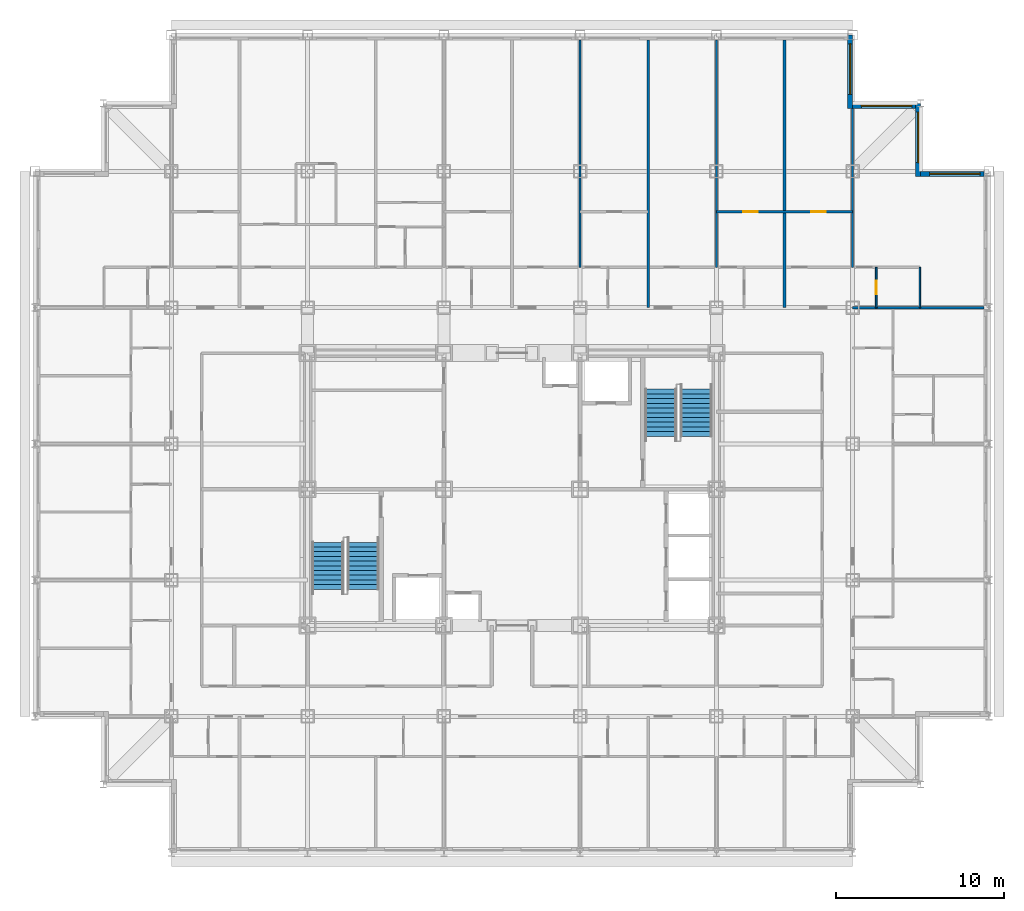
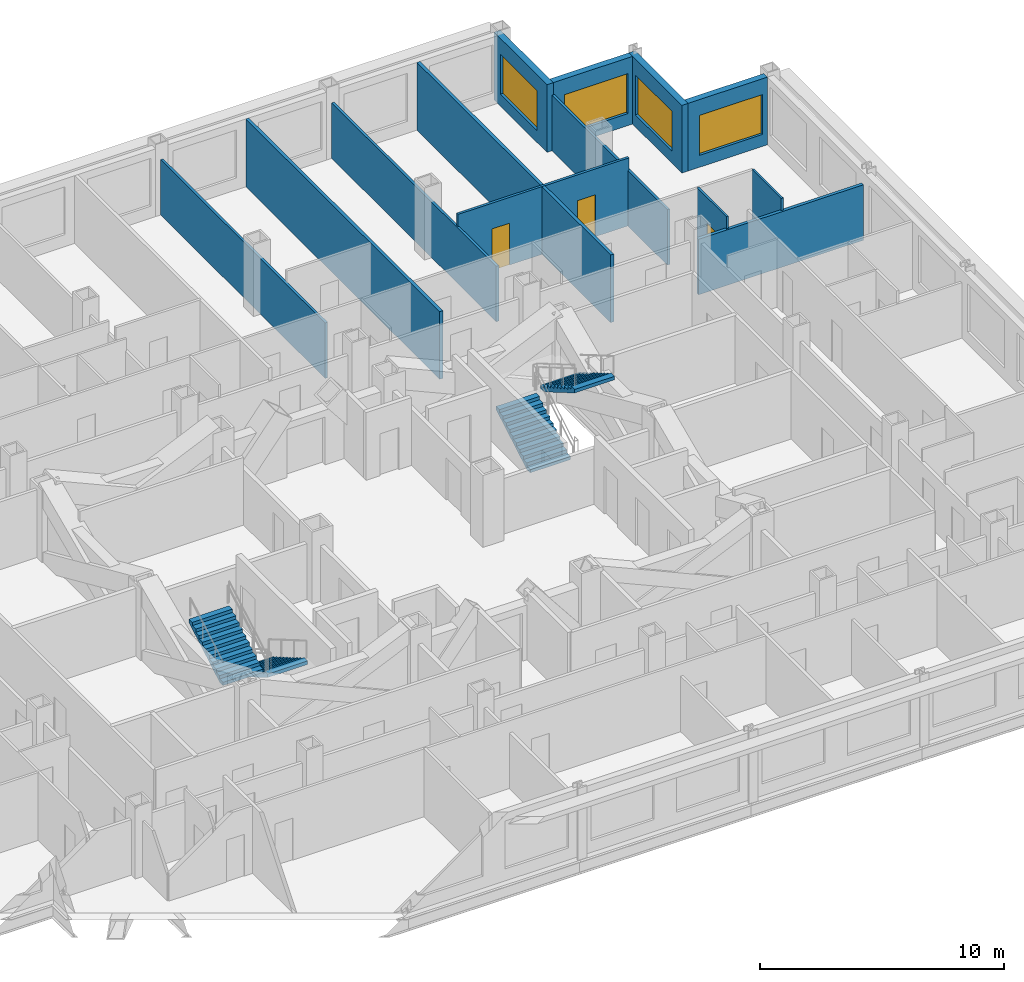
# One storey, part 11 of 12: 13 walls, 4 stair flights, 4 windows, 3 doors, 7 openings, 2 elements without a shape of their own.
"""IFC4 building model written with IfcOpenShell, lengths in metres."""

from ifc_helpers import new_model, si_unit, direction, frame, frame_2d, origin, place, context, subcontext, project, spatial, rectangle, extrude, polygons, source, transform, mapped, material, layer, layer_set, type_object, element, fill, aggregate, save


model = new_model("IFC4")

# Units and contexts
model_context = context("Model", 3, precision=1e-05, world=origin(), true_north=direction((0.0, 1.0)))
body_context = subcontext(model_context, "Body", "Model", "MODEL_VIEW")
ifc_project = project(units=[si_unit("LENGTHUNIT", "METRE"), si_unit("AREAUNIT", "SQUARE_METRE"), si_unit("VOLUMEUNIT", "CUBIC_METRE"), si_unit("PLANEANGLEUNIT", "RADIAN"), si_unit("MASSUNIT", "GRAM", prefix="KILO")], contexts=[model_context])

# Site, building, storey
site_placement = place(None, origin())
site = spatial("IfcSite", under=ifc_project, at=site_placement, CompositionType="ELEMENT")
building_placement = place(site_placement, origin())
building = spatial("IfcBuilding", under=site, at=building_placement, Name="Kopane Lantern Tower", CompositionType="ELEMENT")
storey_placement = place(building_placement, frame((0.0, 0.0, 195.60009765625)))
storey = spatial("IfcBuildingStorey", under=building, at=storey_placement, Name="L50", CompositionType="ELEMENT", Elevation=195.60009765625)

# Walls
ifc_material_1 = material(Name="Gypsum board on steel studs", Category="steel")
ifc_layer_1 = layer(ifc_material_1, 0.1201171875)
ifc_layer_set_1 = layer_set([ifc_layer_1], Name="APARTMENT INTERNAL WALL 120")
wall_type_1 = type_object("IfcWallType", Name="APARTMENT INTERNAL WALL 120", PredefinedType="PARTITIONING", material=ifc_layer_set_1)
for number, where, z_axis, x_axis, name in (
    (1, (32.39990234375, 45.60009765625, 0.0), (0.0, 0.0, 1.0), (0.0, 1.0, 0.0), "Apartment Internal Wall 120 L50"),
    (2, (40.5, 45.60009765625, 0.0), (0.0, 0.0, 1.0), (0.0, 1.0, 0.0), "Apartment Internal Wall 120 L50"),
):
    element("IfcWall", number, at=place(storey_placement, frame(where, z_axis=z_axis, x_axis=x_axis)), inside=storey, type_object=wall_type_1, Name=name, PredefinedType="PARTITIONING", context=body_context, shape_type="SweptSolid", body=[
        extrude(rectangle(XDim=13.5, YDim=0.1201171875, at=frame_2d((6.75, 0.0))), origin(), (0.0, 0.0, 1.0), 2.777587890625),
    ])
wall_1_placement = place(storey_placement, frame((48.60009765625, 45.60009765625, 0.0), z_axis=(0.0, 0.0, 1.0), x_axis=(0.0, 1.0, 0.0)))
element("IfcWall", 3, at=wall_1_placement, inside=storey, type_object=wall_type_1, Name="Apartment Internal Wall 120 L50", PredefinedType="PARTITIONING", context=body_context, shape_type="SweptSolid", body=[
    extrude(rectangle(XDim=9.449951171875, YDim=0.1201171875, at=frame_2d((4.72509765625, 0.0))), origin(), (0.0, 0.0, 1.0), 2.777587890625),
])

# Wall, openings, doors
wall_2_placement = place(storey_placement, frame((40.5, 48.89990234375, 0.0), z_axis=(0.0, 0.0, 1.0), x_axis=(1.0, 0.0, 0.0)))
wall_2 = element("IfcWall", 4, at=wall_2_placement, inside=storey, type_object=wall_type_1, Name="Apartment Internal Wall 120 L50", PredefinedType="PARTITIONING", context=body_context, shape_type="SweptSolid", body=[
    extrude(rectangle(XDim=8.10009765625, YDim=0.1201171875, at=frame_2d((4.050048828125, 0.0))), origin(), (0.0, 0.0, 1.0), 3.389892578125),
])
opening_1_placement = place(wall_2_placement, frame((1.60009765625, 0.0, 0.0)))
opening_1 = element("IfcOpeningElement", 5, at=opening_1_placement, cuts=wall_2, Name="Opening L50-082", PredefinedType="OPENING", context=body_context, shape_type="SweptSolid", body=[
    extrude(rectangle(XDim=0.85009765625, YDim=2.10009765625, at=frame_2d((0.425048828125, 1.050048828125))), frame((0.0, 0.070068359375, 0.0), z_axis=(0.0, -1.0, 0.0), x_axis=(1.0, 0.0, 0.0)), (0.0, 0.0, 1.0), 0.14013671875),
])
opening_2_placement = place(wall_2_placement, frame((5.64990234375, 0.0, 0.0)))
opening_2 = element("IfcOpeningElement", 6, at=opening_2_placement, cuts=wall_2, Name="Opening L50-083", PredefinedType="OPENING", context=body_context, shape_type="SweptSolid", body=[
    extrude(rectangle(XDim=0.85009765625, YDim=2.10009765625, at=frame_2d((0.425048828125, 1.050048828125))), frame((0.0, 0.070068359375, 0.0), z_axis=(0.0, -1.0, 0.0), x_axis=(1.0, 0.0, 0.0)), (0.0, 0.0, 1.0), 0.14013671875),
])
ifc_material_2 = material(Name="Timber door set", Category="wood")
door_type_1 = type_object("IfcDoorType", Name="DOOR D4 850x2100", OperationType="SINGLE_SWING_LEFT", PredefinedType="DOOR", material=ifc_material_2)
door_1_placement = place(opening_1_placement, origin())
door_1 = element("IfcDoor", 7, at=door_1_placement, inside=storey, type_object=door_type_1, Name="Door L50-082", OperationType="SINGLE_SWING_RIGHT", OverallHeight=2.10009765625, OverallWidth=0.85009765625, PredefinedType="DOOR", context=body_context, shape_type="SweptSolid", body=[
    extrude(rectangle(XDim=0.85009765625, YDim=2.10009765625, at=frame_2d((0.425048828125, 1.050048828125))), frame((0.0, 0.02490234375, 0.0), z_axis=(0.0, -1.0, 0.0), x_axis=(1.0, 0.0, 0.0)), (0.0, 0.0, 1.0), 0.050048828125),
])
fill(opening_1, door_1)
door_2_placement = place(opening_2_placement, origin())
door_2 = element("IfcDoor", 8, at=door_2_placement, inside=storey, type_object=door_type_1, Name="Door L50-083", OperationType="SINGLE_SWING_LEFT", OverallHeight=2.10009765625, OverallWidth=0.85009765625, PredefinedType="DOOR", context=body_context, shape_type="SweptSolid", body=[
    extrude(rectangle(XDim=0.85009765625, YDim=2.10009765625, at=frame_2d((0.425048828125, 1.050048828125))), frame((0.0, 0.02490234375, 0.0), z_axis=(0.0, -1.0, 0.0), x_axis=(1.0, 0.0, 0.0)), (0.0, 0.0, 1.0), 0.050048828125),
])
fill(opening_2, door_2)

# Wall, opening, door
ifc_material_3 = material(Name="Moisture-resistant board on steel studs", Category="steel")
ifc_layer_2 = layer(ifc_material_3, 0.10009765625)
ifc_layer_set_2 = layer_set([ifc_layer_2], Name="BATHROOM WALL 100")
wall_type_2 = type_object("IfcWallType", Name="BATHROOM WALL 100", PredefinedType="PARTITIONING", material=ifc_layer_set_2)
wall_3_placement = place(storey_placement, frame((50.0, 43.199951171875, 0.0), z_axis=(0.0, 0.0, 1.0), x_axis=(0.0, 1.0, 0.0)))
wall_3 = element("IfcWall", 9, at=wall_3_placement, inside=storey, type_object=wall_type_2, Name="Bathroom Wall 100 L50", PredefinedType="PARTITIONING", context=body_context, shape_type="SweptSolid", body=[
    extrude(rectangle(XDim=2.400146484375, YDim=0.10009765625, at=frame_2d((1.2001953125, 0.0))), origin(), (0.0, 0.0, 1.0), 3.389892578125),
])
opening_3_placement = place(wall_3_placement, frame((0.800048828125, 0.0, 0.0)))
opening_3 = element("IfcOpeningElement", 10, at=opening_3_placement, cuts=wall_3, Name="Opening L50-070", PredefinedType="OPENING", context=body_context, shape_type="SweptSolid", body=[
    extrude(rectangle(XDim=0.800048828125, YDim=2.10009765625, at=frame_2d((0.39990234375, 1.050048828125))), frame((0.0, 0.06005859375, 0.0), z_axis=(0.0, -1.0, 0.0), x_axis=(1.0, 0.0, 0.0)), (0.0, 0.0, 1.0), 0.1201171875),
])
ifc_material_4 = material(Name="Timber door set", Category="wood")
door_type_2 = type_object("IfcDoorType", Name="DOOR D2 800x2100", OperationType="SINGLE_SWING_LEFT", PredefinedType="DOOR", material=ifc_material_4)
door_3_placement = place(opening_3_placement, origin())
door_3 = element("IfcDoor", 11, at=door_3_placement, inside=storey, type_object=door_type_2, Name="Door L50-070", OperationType="SINGLE_SWING_RIGHT", OverallHeight=2.10009765625, OverallWidth=0.800048828125, PredefinedType="DOOR", context=body_context, shape_type="SweptSolid", body=[
    extrude(rectangle(XDim=0.800048828125, YDim=2.10009765625, at=frame_2d((0.39990234375, 1.050048828125))), frame((0.0, 0.02490234375, 0.0), z_axis=(0.0, -1.0, 0.0), x_axis=(1.0, 0.0, 0.0)), (0.0, 0.0, 1.0), 0.050048828125),
])
fill(opening_3, door_3)

# Walls
wall_4_placement = place(storey_placement, frame((52.60009765625, 43.199951171875, 0.0), z_axis=(0.0, 0.0, 1.0), x_axis=(0.0, 1.0, 0.0)))
element("IfcWall", 12, at=wall_4_placement, inside=storey, type_object=wall_type_2, Name="Bathroom Wall 100 L50", PredefinedType="PARTITIONING", context=body_context, shape_type="SweptSolid", body=[
    extrude(rectangle(XDim=2.400146484375, YDim=0.10009765625, at=frame_2d((1.2001953125, 0.0))), origin(), (0.0, 0.0, 1.0), 3.389892578125),
])
ifc_material_5 = material(Name="Gypsum board on steel studs", Category="steel")
ifc_layer_3 = layer(ifc_material_5, 0.14990234375)
ifc_layer_set_3 = layer_set([ifc_layer_3], Name="DEMISING WALL 150 EI 60")
wall_type_3 = type_object("IfcWallType", Name="DEMISING WALL 150 EI 60", PredefinedType="PARTITIONING", material=ifc_layer_set_3)
wall_5_placement = place(storey_placement, frame((36.449951171875, 43.199951171875, 0.0), z_axis=(0.0, 0.0, 1.0), x_axis=(0.0, 1.0, 0.0)))
element("IfcWall", 13, at=wall_5_placement, inside=storey, type_object=wall_type_3, Name="Demising Wall 150 Ei 60 L50", PredefinedType="PARTITIONING", context=body_context, shape_type="SweptSolid", body=[
    extrude(rectangle(XDim=15.900146484375, YDim=0.14990234375, at=frame_2d((7.9501953125, 0.0))), origin(), (0.0, 0.0, 1.0), 3.389892578125),
])
wall_6_placement = place(storey_placement, frame((48.60009765625, 43.199951171875, 0.0), z_axis=(0.0, 0.0, 1.0), x_axis=(1.0, 0.0, 0.0)))
element("IfcWall", 14, at=wall_6_placement, inside=storey, type_object=wall_type_3, Name="Demising Wall 150 Ei 60 L50", PredefinedType="PARTITIONING", context=body_context, shape_type="SweptSolid", body=[
    extrude(rectangle(XDim=7.7998046875, YDim=0.14990234375, at=frame_2d((3.89990234375, 0.0))), origin(), (0.0, 0.0, 1.0), 2.777587890625),
])
wall_7_placement = place(storey_placement, frame((44.550048828125, 43.199951171875, 0.0), z_axis=(0.0, 0.0, 1.0), x_axis=(0.0, 1.0, 0.0)))
element("IfcWall", 15, at=wall_7_placement, inside=storey, type_object=wall_type_3, Name="Demising Wall 150 Ei 60 L50", PredefinedType="PARTITIONING", context=body_context, shape_type="SweptSolid", body=[
    extrude(rectangle(XDim=15.900146484375, YDim=0.14990234375, at=frame_2d((7.9501953125, 0.0))), origin(), (0.0, 0.0, 1.0), 3.389892578125),
])

# Wall, opening, window
ifc_material_6 = material(Name="Terracotta rainscreen on light steel framing", Category="masonry")
ifc_layer_4 = layer(ifc_material_6, 0.300048828125)
ifc_layer_set_4 = layer_set([ifc_layer_4], Name="EXTERNAL WALL EW1 300 TERRACOTTA")
wall_type_4 = type_object("IfcWallType", Name="EXTERNAL WALL EW1 300 TERRACOTTA", PredefinedType="SOLIDWALL", material=ifc_layer_set_4)
wall_8_placement = place(storey_placement, frame((56.39990234375, 51.14990234375, 0.0), z_axis=(0.0, 0.0, 1.0), x_axis=(-1.0, 0.0, 0.0)))
wall_8 = element("IfcWall", 16, at=wall_8_placement, inside=storey, type_object=wall_type_4, Name="External wall N L50", PredefinedType="SOLIDWALL", context=body_context, shape_type="SweptSolid", body=[
    extrude(rectangle(XDim=3.75, YDim=0.300048828125, at=frame_2d((1.875, 0.0))), origin(), (0.0, 0.0, 1.0), 3.389892578125),
])
opening_4_placement = place(wall_8_placement, frame((0.22509765625, 0.0, 0.60009765625)))
opening_4 = element("IfcOpeningElement", 17, at=opening_4_placement, cuts=wall_8, Name="Opening WR300200", PredefinedType="OPENING", context=body_context, shape_type="SweptSolid", body=[
    extrude(rectangle(XDim=3.0, YDim=2.0, at=frame_2d((1.5, 1.0))), frame((0.0, 0.159912109375, 0.0), z_axis=(0.0, -1.0, 0.0), x_axis=(1.0, 0.0, 0.0)), (0.0, 0.0, 1.0), 0.320068359375),
])
ifc_material_7 = material(Name="Aluminium and clear glass", Category="aluminium")
window_type = type_object("IfcWindowType", Name="RIBBON WINDOW WR300200 3000x2000", PartitioningType="SINGLE_PANEL", PredefinedType="WINDOW", material=ifc_material_7)
window_1_placement = place(opening_4_placement, origin())
window_1 = element("IfcWindow", 18, at=window_1_placement, inside=storey, type_object=window_type, Name="Window N L50", OverallHeight=2.0, OverallWidth=3.0, PartitioningType="SINGLE_PANEL", PredefinedType="WINDOW", context=body_context, shape_type="SweptSolid", body=[
    extrude(rectangle(XDim=3.0, YDim=2.0, at=frame_2d((1.5, 1.0))), frame((0.0, 0.030029296875, 0.0), z_axis=(0.0, -1.0, 0.0), x_axis=(1.0, 0.0, 0.0)), (0.0, 0.0, 1.0), 0.06005859375),
])
fill(opening_4, window_1)

wall_9_placement = place(storey_placement, frame((52.5, 51.0, 0.0), z_axis=(0.0, 0.0, 1.0), x_axis=(0.0, 1.0, 0.0)))
wall_9 = element("IfcWall", 19, at=wall_9_placement, inside=storey, type_object=wall_type_4, Name="External wall E L50", PredefinedType="SOLIDWALL", context=body_context, shape_type="SweptSolid", body=[
    extrude(rectangle(XDim=4.35009765625, YDim=0.300048828125, at=frame_2d((2.175048828125, 0.0))), origin(), (0.0, 0.0, 1.0), 3.389892578125),
])
opening_5_placement = place(wall_9_placement, frame((0.824951171875, 0.0, 0.60009765625)))
opening_5 = element("IfcOpeningElement", 20, at=opening_5_placement, cuts=wall_9, Name="Opening WR300200", PredefinedType="OPENING", context=body_context, shape_type="SweptSolid", body=[
    extrude(rectangle(XDim=3.0, YDim=2.0, at=frame_2d((1.5, 1.0))), frame((0.0, 0.159912109375, 0.0), z_axis=(0.0, -1.0, 0.0), x_axis=(1.0, 0.0, 0.0)), (0.0, 0.0, 1.0), 0.320068359375),
])
window_2_placement = place(opening_5_placement, origin())
window_2 = element("IfcWindow", 21, at=window_2_placement, inside=storey, type_object=window_type, Name="Window E L50", OverallHeight=2.0, OverallWidth=3.0, PartitioningType="SINGLE_PANEL", PredefinedType="WINDOW", context=body_context, shape_type="SweptSolid", body=[
    extrude(rectangle(XDim=3.0, YDim=2.0, at=frame_2d((1.5, 1.0))), frame((0.0, 0.030029296875, 0.0), z_axis=(0.0, -1.0, 0.0), x_axis=(1.0, 0.0, 0.0)), (0.0, 0.0, 1.0), 0.06005859375),
])
fill(opening_5, window_2)

wall_10_placement = place(storey_placement, frame((52.35009765625, 55.199951171875, 0.0), z_axis=(0.0, 0.0, 1.0), x_axis=(-1.0, 0.0, 0.0)))
wall_10 = element("IfcWall", 22, at=wall_10_placement, inside=storey, type_object=wall_type_4, Name="External wall N L50", PredefinedType="SOLIDWALL", context=body_context, shape_type="SweptSolid", body=[
    extrude(rectangle(XDim=3.75, YDim=0.300048828125, at=frame_2d((1.875, 0.0))), origin(), (0.0, 0.0, 1.0), 3.389892578125),
])
opening_6_placement = place(wall_10_placement, frame((0.22509765625, 0.0, 0.60009765625)))
opening_6 = element("IfcOpeningElement", 23, at=opening_6_placement, cuts=wall_10, Name="Opening WR300200", PredefinedType="OPENING", context=body_context, shape_type="SweptSolid", body=[
    extrude(rectangle(XDim=3.0, YDim=2.0, at=frame_2d((1.5, 1.0))), frame((0.0, 0.159912109375, 0.0), z_axis=(0.0, -1.0, 0.0), x_axis=(1.0, 0.0, 0.0)), (0.0, 0.0, 1.0), 0.320068359375),
])
window_3_placement = place(opening_6_placement, origin())
window_3 = element("IfcWindow", 24, at=window_3_placement, inside=storey, type_object=window_type, Name="Window N L50", OverallHeight=2.0, OverallWidth=3.0, PartitioningType="SINGLE_PANEL", PredefinedType="WINDOW", context=body_context, shape_type="SweptSolid", body=[
    extrude(rectangle(XDim=3.0, YDim=2.0, at=frame_2d((1.5, 1.0))), frame((0.0, 0.030029296875, 0.0), z_axis=(0.0, -1.0, 0.0), x_axis=(1.0, 0.0, 0.0)), (0.0, 0.0, 1.0), 0.06005859375),
])
fill(opening_6, window_3)

wall_11_placement = place(storey_placement, frame((48.449951171875, 55.050048828125, 0.0), z_axis=(0.0, 0.0, 1.0), x_axis=(0.0, 1.0, 0.0)))
wall_11 = element("IfcWall", 25, at=wall_11_placement, inside=storey, type_object=wall_type_4, Name="External wall E L50", PredefinedType="SOLIDWALL", context=body_context, shape_type="SweptSolid", body=[
    extrude(rectangle(XDim=4.349853515625, YDim=0.300048828125, at=frame_2d((2.1748046875, 0.0))), origin(), (0.0, 0.0, 1.0), 3.389892578125),
])
opening_7_placement = place(wall_11_placement, frame((0.824951171875, 0.0, 0.60009765625)))
opening_7 = element("IfcOpeningElement", 26, at=opening_7_placement, cuts=wall_11, Name="Opening WR300200", PredefinedType="OPENING", context=body_context, shape_type="SweptSolid", body=[
    extrude(rectangle(XDim=3.0, YDim=2.0, at=frame_2d((1.5, 1.0))), frame((0.0, 0.159912109375, 0.0), z_axis=(0.0, -1.0, 0.0), x_axis=(1.0, 0.0, 0.0)), (0.0, 0.0, 1.0), 0.320068359375),
])
window_4_placement = place(opening_7_placement, origin())
window_4 = element("IfcWindow", 27, at=window_4_placement, inside=storey, type_object=window_type, Name="Window E L50", OverallHeight=2.0, OverallWidth=3.0, PartitioningType="SINGLE_PANEL", PredefinedType="WINDOW", context=body_context, shape_type="SweptSolid", body=[
    extrude(rectangle(XDim=3.0, YDim=2.0, at=frame_2d((1.5, 1.0))), frame((0.0, 0.030029296875, 0.0), z_axis=(0.0, -1.0, 0.0), x_axis=(1.0, 0.0, 0.0)), (0.0, 0.0, 1.0), 0.06005859375),
])
fill(opening_7, window_4)

# Stair, stair flights
ifc_material_8 = material(Name="Steel S355JR", Category="steel")
stair_type = type_object("IfcStairType", Name="EXIT STAIR 1900 HALF TURN", PredefinedType="HALF_TURN_STAIR", material=ifc_material_8)
stair_1_placement = place(storey_placement, origin())
stair_1 = element("IfcStair", 28, at=stair_1_placement, inside=storey, type_object=stair_type, Name="Exit stair ST1 L50", PredefinedType="HALF_TURN_STAIR")
ifc_material_9 = material(Name="Steel S355JR", Category="steel")
stair_flight_type = type_object("IfcStairFlightType", Name="STAIR FLIGHT 1900 STEEL", PredefinedType="STRAIGHT", material=ifc_material_9)
shared_shape = source(origin(), body_context, "Body", "Tessellation", [
    polygons([(2.800048828, 0.949951172, 1.636474609), (2.520019531, 0.949951172, 1.636474609), (2.520019531, -0.949951172, 1.636474609), (2.800048828, -0.949951172, 1.636474609), (0.297119141, 0.949951172, 0.0), (2.800048828, 0.949951172, 1.462646484), (2.800048828, -0.949951172, 1.462646484), (0.297119141, -0.949951172, 0.0), (0.0, 0.949951172, 0.0), (0.0, -0.949951172, 0.0), (0.280029297, 0.949951172, 0.163574219), (0.0, 0.949951172, 0.163574219), (0.0, -0.949951172, 0.163574219), (0.280029297, -0.949951172, 0.163574219), (0.280029297, 0.949951172, 0.327392578), (0.280029297, -0.949951172, 0.327392578), (0.560058594, 0.949951172, 0.327392578), (0.560058594, -0.949951172, 0.327392578), (0.560058594, 0.949951172, 0.490966797), (0.560058594, -0.949951172, 0.490966797), (0.840087891, 0.949951172, 0.490966797), (0.840087891, -0.949951172, 0.490966797), (0.840087891, 0.949951172, 0.654541016), (0.840087891, -0.949951172, 0.654541016), (1.120117188, 0.949951172, 0.654541016), (1.120117188, -0.949951172, 0.654541016), (1.120117188, 0.949951172, 0.818115234), (1.120117188, -0.949951172, 0.818115234), (1.399902344, 0.949951172, 0.818115234), (1.399902344, -0.949951172, 0.818115234), (1.399902344, 0.949951172, 0.981933594), (1.399902344, -0.949951172, 0.981933594), (1.679931641, 0.949951172, 0.981933594), (1.679931641, -0.949951172, 0.981933594), (1.679931641, 0.949951172, 1.145507812), (1.679931641, -0.949951172, 1.145507812), (1.959960938, 0.949951172, 1.145507812), (1.959960938, -0.949951172, 1.145507812), (1.959960938, 0.949951172, 1.309082031), (1.959960938, -0.949951172, 1.309082031), (2.239990234, 0.949951172, 1.309082031), (2.239990234, -0.949951172, 1.309082031), (2.239990234, 0.949951172, 1.47265625), (2.239990234, -0.949951172, 1.47265625), (2.520019531, 0.949951172, 1.47265625), (2.520019531, -0.949951172, 1.47265625), (0.0, 0.0, 0.004420925), (0.0, 0.0, 0.00884185), (0.0, 0.0, 0.013262774), (0.0, 0.0, 0.017683699), (0.0, 0.0, 0.022104624), (0.0, 0.0, 0.026525549), (0.0, 0.0, 0.030946474), (0.0, 0.0, 0.035367399), (0.0, 0.0, 0.039788323), (0.0, 0.0, 0.044209248), (0.0, 0.0, 0.048630173), (0.0, 0.0, 0.053051098), (0.0, 0.0, 0.057472023), (0.0, 0.0, 0.061892948), (0.0, 0.0, 0.066313872), (0.0, 0.0, 0.070734797), (0.0, 0.0, 0.075155722), (0.0, 0.0, 0.079576647), (0.0, 0.0, 0.083997572), (0.0, 0.0, 0.088418497), (0.0, 0.0, 0.092839421), (0.0, 0.0, 0.097260346), (0.0, 0.0, 0.101681271), (0.0, 0.0, 0.106102196), (0.0, 0.0, 0.110523121), (0.0, 0.0, 0.114944046), (0.0, 0.0, 0.11936497), (0.0, 0.0, 0.123785895), (0.0, 0.0, 0.12820682), (0.0, 0.0, 0.132627745), (0.0, 0.0, 0.13704867), (0.0, 0.0, 0.141469595), (0.0, 0.0, 0.145890519), (0.0, 0.0, 0.150311444), (0.0, 0.0, 0.154732369), (0.0, 0.0, 0.159153294), (2.800048828, 0.0, 1.467344542), (2.800048828, 0.0, 1.472042599), (2.800048828, 0.0, 1.476740657), (2.800048828, 0.0, 1.481438714), (2.800048828, 0.0, 1.486136772), (2.800048828, 0.0, 1.490834829), (2.800048828, 0.0, 1.495532886), (2.800048828, 0.0, 1.500230944), (2.800048828, 0.0, 1.504929001), (2.800048828, 0.0, 1.509627059), (2.800048828, 0.0, 1.514325116), (2.800048828, 0.0, 1.519023174), (2.800048828, 0.0, 1.523721231), (2.800048828, 0.0, 1.528419288), (2.800048828, 0.0, 1.533117346), (2.800048828, 0.0, 1.537815403), (2.800048828, 0.0, 1.542513461), (2.800048828, 0.0, 1.547211518), (2.800048828, 0.0, 1.551909576), (2.800048828, 0.0, 1.556607633), (2.800048828, 0.0, 1.56130569), (2.800048828, 0.0, 1.566003748), (2.800048828, 0.0, 1.570701805), (2.800048828, 0.0, 1.575399863), (2.800048828, 0.0, 1.58009792), (2.800048828, 0.0, 1.584795978), (2.800048828, 0.0, 1.589494035), (2.800048828, 0.0, 1.594192092), (2.800048828, 0.0, 1.59889015), (2.800048828, 0.0, 1.603588207), (2.800048828, 0.0, 1.608286265), (2.800048828, 0.0, 1.612984322), (2.800048828, 0.0, 1.61768238), (2.800048828, 0.0, 1.622380437), (2.800048828, 0.0, 1.627078495), (2.800048828, 0.0, 1.631776552)], [[[1, 2, 3]], [[1, 3, 4]], [[5, 6, 7]], [[5, 7, 8]], [[9, 5, 8]], [[9, 8, 10]], [[11, 12, 13]], [[11, 13, 14]], [[15, 11, 14]], [[15, 14, 16]], [[17, 15, 16]], [[17, 16, 18]], [[19, 17, 18]], [[19, 18, 20]], [[21, 19, 20]], [[21, 20, 22]], [[23, 21, 22]], [[23, 22, 24]], [[25, 23, 24]], [[25, 24, 26]], [[27, 25, 26]], [[27, 26, 28]], [[29, 27, 28]], [[29, 28, 30]], [[31, 29, 30]], [[31, 30, 32]], [[33, 31, 32]], [[33, 32, 34]], [[35, 33, 34]], [[35, 34, 36]], [[37, 35, 36]], [[37, 36, 38]], [[39, 37, 38]], [[39, 38, 40]], [[41, 39, 40]], [[41, 40, 42]], [[43, 41, 42]], [[43, 42, 44]], [[45, 43, 44]], [[45, 44, 46]], [[2, 45, 46]], [[2, 46, 3]], [[45, 1, 6]], [[41, 45, 6]], [[2, 1, 45]], [[37, 41, 6]], [[43, 45, 41]], [[39, 41, 37]], [[35, 37, 33]], [[31, 33, 29]], [[27, 29, 25]], [[5, 21, 25]], [[17, 21, 5]], [[23, 25, 21]], [[11, 17, 5]], [[19, 21, 17]], [[9, 11, 5]], [[15, 17, 11]], [[12, 11, 9]], [[6, 5, 25]], [[6, 25, 29]], [[6, 29, 33]], [[6, 33, 37]], [[7, 4, 46]], [[7, 46, 42]], [[46, 4, 3]], [[7, 42, 38]], [[42, 46, 44]], [[38, 42, 40]], [[34, 38, 36]], [[30, 34, 32]], [[26, 30, 28]], [[26, 22, 8]], [[8, 22, 18]], [[22, 26, 24]], [[8, 18, 14]], [[18, 22, 20]], [[8, 14, 10]], [[14, 18, 16]], [[10, 14, 13]], [[26, 8, 7]], [[30, 26, 7]], [[34, 30, 7]], [[38, 34, 7]], [[10, 47, 9]], [[10, 48, 47]], [[9, 47, 48]], [[10, 49, 48]], [[9, 48, 49]], [[10, 50, 49]], [[9, 49, 50]], [[10, 51, 50]], [[9, 50, 51]], [[10, 52, 51]], [[9, 51, 52]], [[10, 53, 52]], [[9, 52, 53]], [[10, 54, 53]], [[9, 53, 54]], [[10, 55, 54]], [[9, 54, 55]], [[10, 56, 55]], [[9, 55, 56]], [[10, 57, 56]], [[9, 56, 57]], [[10, 58, 57]], [[9, 57, 58]], [[10, 59, 58]], [[9, 58, 59]], [[10, 60, 59]], [[9, 59, 60]], [[10, 61, 60]], [[9, 60, 61]], [[10, 62, 61]], [[9, 61, 62]], [[10, 63, 62]], [[9, 62, 63]], [[10, 64, 63]], [[9, 63, 64]], [[10, 65, 64]], [[9, 64, 65]], [[10, 66, 65]], [[9, 65, 66]], [[10, 67, 66]], [[9, 66, 67]], [[10, 68, 67]], [[9, 67, 68]], [[10, 69, 68]], [[9, 68, 69]], [[10, 70, 69]], [[9, 69, 70]], [[10, 71, 70]], [[9, 70, 71]], [[10, 72, 71]], [[9, 71, 72]], [[10, 73, 72]], [[9, 72, 73]], [[10, 74, 73]], [[9, 73, 74]], [[10, 75, 74]], [[9, 74, 75]], [[10, 76, 75]], [[9, 75, 76]], [[10, 77, 76]], [[9, 76, 77]], [[10, 78, 77]], [[9, 77, 78]], [[10, 79, 78]], [[9, 78, 79]], [[10, 80, 79]], [[9, 79, 80]], [[10, 81, 80]], [[9, 80, 81]], [[10, 82, 81]], [[9, 81, 82]], [[10, 13, 82]], [[82, 13, 12]], [[9, 82, 12]], [[7, 6, 83]], [[7, 83, 84]], [[6, 84, 83]], [[7, 84, 85]], [[6, 85, 84]], [[7, 85, 86]], [[6, 86, 85]], [[7, 86, 87]], [[6, 87, 86]], [[7, 87, 88]], [[6, 88, 87]], [[7, 88, 89]], [[6, 89, 88]], [[7, 89, 90]], [[6, 90, 89]], [[7, 90, 91]], [[6, 91, 90]], [[7, 91, 92]], [[6, 92, 91]], [[7, 92, 93]], [[6, 93, 92]], [[7, 93, 94]], [[6, 94, 93]], [[7, 94, 95]], [[6, 95, 94]], [[7, 95, 96]], [[6, 96, 95]], [[7, 96, 97]], [[6, 97, 96]], [[7, 97, 98]], [[6, 98, 97]], [[7, 98, 99]], [[6, 99, 98]], [[7, 99, 100]], [[6, 100, 99]], [[7, 100, 101]], [[6, 101, 100]], [[7, 101, 102]], [[6, 102, 101]], [[7, 102, 103]], [[6, 103, 102]], [[7, 103, 104]], [[6, 104, 103]], [[7, 104, 105]], [[6, 105, 104]], [[7, 105, 106]], [[6, 106, 105]], [[7, 106, 107]], [[6, 107, 106]], [[7, 107, 108]], [[6, 108, 107]], [[7, 108, 109]], [[6, 109, 108]], [[7, 109, 110]], [[6, 110, 109]], [[7, 110, 111]], [[6, 111, 110]], [[7, 111, 112]], [[6, 112, 111]], [[7, 112, 113]], [[6, 113, 112]], [[7, 113, 114]], [[6, 114, 113]], [[7, 114, 115]], [[6, 115, 114]], [[7, 115, 116]], [[6, 116, 115]], [[7, 116, 117]], [[6, 117, 116]], [[7, 117, 118]], [[6, 118, 117]], [[7, 118, 4]], [[118, 1, 4]], [[6, 1, 118]]], closed=True),
])
stair_flight_1_placement = place(storey_placement, frame((19.5, 29.25, 0.0), z_axis=(0.0, 0.0, 1.0), x_axis=(0.0, -1.0, 0.0)))
stair_flight_1 = element("IfcStairFlight", 29, at=stair_flight_1_placement, type_object=stair_flight_type, Name="ST1 flight 1", NumberOfRisers=11, NumberOfTreads=10, PredefinedType="STRAIGHT", RiserHeight=0.163636364, TreadLength=0.28, context=body_context, shape_type="MappedRepresentation", body=[
    mapped(shared_shape, transform((0.0, 0.0, 0.0))),
])
stair_flight_2_placement = place(storey_placement, frame((17.39990234375, 26.449951171875, 1.7998046875), z_axis=(0.0, 0.0, 1.0), x_axis=(0.0, 1.0, 0.0)))
stair_flight_2 = element("IfcStairFlight", 30, at=stair_flight_2_placement, type_object=stair_flight_type, Name="ST1 flight 2", NumberOfRisers=11, NumberOfTreads=10, PredefinedType="STRAIGHT", RiserHeight=0.163636364, TreadLength=0.28, context=body_context, shape_type="MappedRepresentation", body=[
    mapped(shared_shape, transform((0.0, 0.0, 0.0))),
])
aggregate(stair_1, [stair_flight_1, stair_flight_2])

stair_2_placement = place(storey_placement, origin())
stair_2 = element("IfcStair", 31, at=stair_2_placement, inside=storey, type_object=stair_type, Name="Exit stair ST2 L50", PredefinedType="HALF_TURN_STAIR")
stair_flight_3_placement = place(storey_placement, frame((37.199951171875, 35.550048828125, 0.0), z_axis=(0.0, 0.0, 1.0), x_axis=(0.0, 1.0, 0.0)))
stair_flight_3 = element("IfcStairFlight", 32, at=stair_flight_3_placement, type_object=stair_flight_type, Name="ST2 flight 1", NumberOfRisers=11, NumberOfTreads=10, PredefinedType="STRAIGHT", RiserHeight=0.163636364, TreadLength=0.28, context=body_context, shape_type="MappedRepresentation", body=[
    mapped(shared_shape, transform((0.0, 0.0, 0.0))),
])
stair_flight_4_placement = place(storey_placement, frame((39.300048828125, 38.35009765625, 1.7998046875), z_axis=(0.0, 0.0, 1.0), x_axis=(0.0, -1.0, 0.0)))
stair_flight_4 = element("IfcStairFlight", 33, at=stair_flight_4_placement, type_object=stair_flight_type, Name="ST2 flight 2", NumberOfRisers=11, NumberOfTreads=10, PredefinedType="STRAIGHT", RiserHeight=0.163636364, TreadLength=0.28, context=body_context, shape_type="MappedRepresentation", body=[
    mapped(shared_shape, transform((0.0, 0.0, 0.0))),
])
aggregate(stair_2, [stair_flight_3, stair_flight_4])

save(model, "model.ifc")
